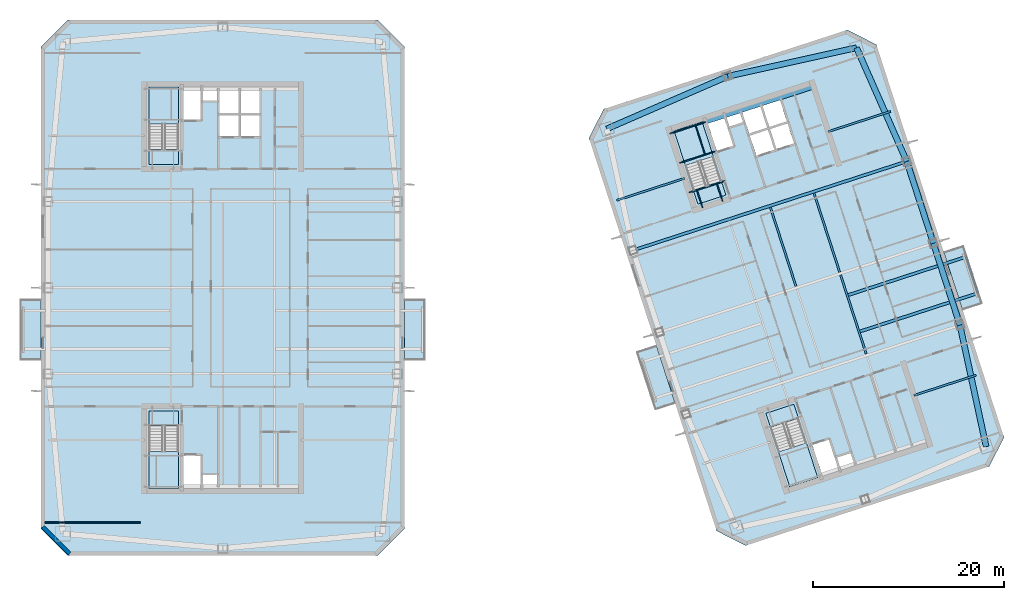
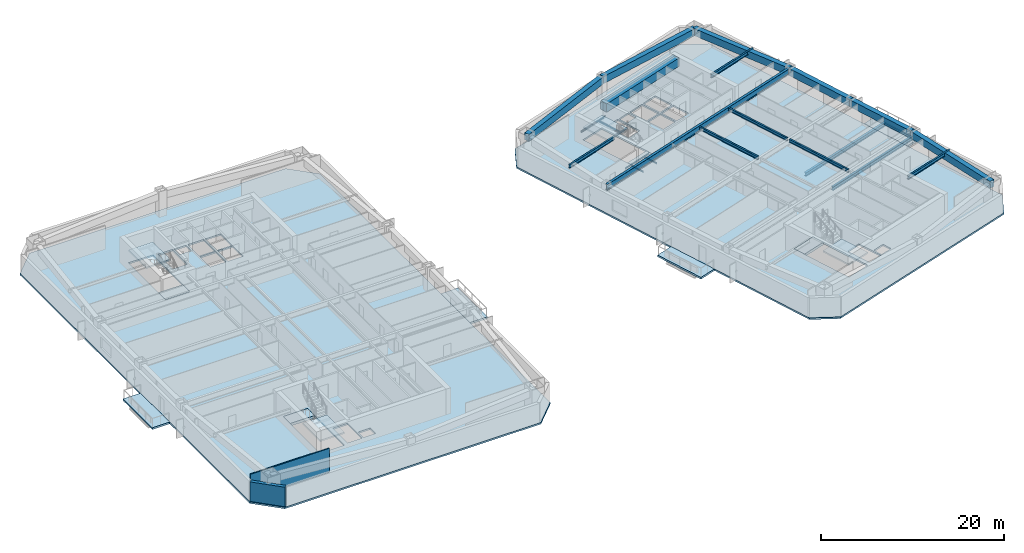
# One storey, part 4 of 17: 23 beams, 14 slabs, 2 walls, 4 elements without a shape of their own.
"""IFC4 building model written with IfcOpenShell, lengths in metres."""

import ifcopenshell
import ifcopenshell.guid

model = None  # the IFC model being written
_history = None  # IfcOwnerHistory: only IFC2X3 demands one
_inside = {}  # id of a spatial element -> (the spatial element, [elements in it])
_under = {}  # id of a project, library or spatial element -> (it, [spatial elements below it])
_declared = {}  # id of a project -> (the project, [libraries it declares])
_typed = {}  # id of a type object -> (the type object, [elements of that type])
_made_of = {}  # id of a material, layer set ... -> (it, [elements and type objects made of it])


def new_model(schema):
    """Start an empty IFC model of exactly this schema.

    Asked for "IFC4X3", IfcOpenShell would pick the latest addendum, in which some entities
    have other attributes; the version numbers below select the first issue.
    IFC2X3 requires an IfcOwnerHistory on every rooted entity: one is made here for all.
    """
    global model, _history
    if schema == "IFC4X3":
        model = ifcopenshell.file(schema_version=(4, 3, 0, 0))
    else:
        model = ifcopenshell.file(schema=schema)
    _inside.clear()
    _under.clear()
    _declared.clear()
    _typed.clear()
    _made_of.clear()
    _history = None
    if model.schema == "IFC2X3":
        org = make("IfcOrganization", Name="unknown")
        user = make(
            "IfcPersonAndOrganization",
            ThePerson=make("IfcPerson", FamilyName="unknown"),
            TheOrganization=org,
        )
        app = make(
            "IfcApplication",
            ApplicationDeveloper=org,
            Version="unknown",
            ApplicationFullName="unknown",
            ApplicationIdentifier="unknown",
        )
        _history = make(
            "IfcOwnerHistory",
            OwningUser=user,
            OwningApplication=app,
            ChangeAction="ADDED",
            CreationDate=0,
        )
    return model


def make(cls, **values):
    """One entity of the class cls with the attributes given. An attribute that is None is left unset."""
    return model.create_entity(
        cls, **{name: value for name, value in values.items() if value is not None}
    )


def rooted(cls, **values):
    """An entity with a GlobalId (a new one), such as an element, a storey or a relation."""
    return make(cls, GlobalId=ifcopenshell.guid.new(), OwnerHistory=_history, **values)


def si_unit(unit_type, name, prefix=None):
    """IfcSIUnit, for example si_unit("LENGTHUNIT", "METRE", prefix="MILLI")."""
    return make("IfcSIUnit", UnitType=unit_type, Prefix=prefix, Name=name)


def assignment(units):
    """IfcUnitAssignment: the units of a project."""
    return None if units is None else make("IfcUnitAssignment", Units=units)


def point(xyz):
    """IfcCartesianPoint."""
    return None if xyz is None else make("IfcCartesianPoint", Coordinates=xyz)


def direction(xyz):
    """IfcDirection."""
    return None if xyz is None else make("IfcDirection", DirectionRatios=xyz)


def frame(location, z_axis=None, x_axis=None):
    """IfcAxis2Placement3D, a coordinate frame: its origin and axes. An axis left out is left unset."""
    return make(
        "IfcAxis2Placement3D",
        Location=point(location),
        Axis=direction(z_axis),
        RefDirection=direction(x_axis),
    )


def frame_2d(location, x_axis=None):
    """IfcAxis2Placement2D, a coordinate frame in the plane: its origin and x axis."""
    return make(
        "IfcAxis2Placement2D", Location=point(location), RefDirection=direction(x_axis)
    )


def origin():
    """The frame at (0, 0, 0) with its axes left unset."""
    return frame((0.0, 0.0, 0.0))


def origin_2d():
    """The frame at (0, 0) in the plane with its x axis left unset."""
    return frame_2d((0.0, 0.0))


def place(relative_to, where):
    """IfcLocalPlacement: puts the frame where relative to a parent placement (None: the world)."""
    return make(
        "IfcLocalPlacement", PlacementRelTo=relative_to, RelativePlacement=where
    )


def context(
    kind, dimensions, precision=None, world=None, true_north=None, identifier=None
):
    """IfcGeometricRepresentationContext, for example the 3D "Model" context."""
    return make(
        "IfcGeometricRepresentationContext",
        ContextIdentifier=identifier,
        ContextType=kind,
        CoordinateSpaceDimension=dimensions,
        Precision=precision,
        WorldCoordinateSystem=world,
        TrueNorth=true_north,
    )


def subcontext(parent, identifier, kind, view, scale=None):
    """IfcGeometricRepresentationSubContext, for example "Body" below "Model"."""
    return make(
        "IfcGeometricRepresentationSubContext",
        ContextIdentifier=identifier,
        ContextType=kind,
        ParentContext=parent,
        TargetScale=scale,
        TargetView=view,
    )


def project(units=None, contexts=None):
    """IfcProject with its units and contexts."""
    return rooted(
        "IfcProject",
        Name="project",
        RepresentationContexts=contexts,
        UnitsInContext=assignment(units),
    )


def spatial(cls, under=None, at=None, **own):
    """A site, building, storey or space (cls), placed at a placement, below another one or the project."""
    s = rooted(cls, ObjectPlacement=at, **own)
    if under is not None:
        _under.setdefault(under.id(), (under, []))[1].append(s)
    return s


def polyline(points):
    """IfcPolyline through the points."""
    return make("IfcPolyline", Points=[point(p) for p in points])


def profile(cls, at=None, kind="AREA", **sizes):
    """A parametric profile (cls). Its sizes go by their IFC names, for example OverallWidth=200.0."""
    return make(cls, ProfileType=kind, Position=at, **sizes)


def rectangle(**sizes):
    """IfcRectangleProfileDef."""
    return profile("IfcRectangleProfileDef", **sizes)


def i_section(**sizes):
    """IfcIShapeProfileDef."""
    return profile("IfcIShapeProfileDef", **sizes)


def outline(outer, holes=None, kind="AREA"):
    """IfcArbitraryClosedProfileDef: a profile drawn as a closed curve; with holes, ...WithVoids."""
    if holes is None:
        return make("IfcArbitraryClosedProfileDef", ProfileType=kind, OuterCurve=outer)
    return make(
        "IfcArbitraryProfileDefWithVoids",
        ProfileType=kind,
        OuterCurve=outer,
        InnerCurves=holes,
    )


def extrude(swept, where, along, depth):
    """IfcExtrudedAreaSolid: the profile swept, set in the frame where, extruded along a direction by depth."""
    return make(
        "IfcExtrudedAreaSolid",
        SweptArea=swept,
        Position=where,
        ExtrudedDirection=direction(along),
        Depth=depth,
    )


def shape(context_of_items, identifier, shape_type, items):
    """IfcShapeRepresentation: the items that make up one representation, for example the "Body"."""
    return make(
        "IfcShapeRepresentation",
        ContextOfItems=context_of_items,
        RepresentationIdentifier=identifier,
        RepresentationType=shape_type,
        Items=items,
    )


def material(Name=None, Category=None):
    """IfcMaterial."""
    return make("IfcMaterial", Name=Name, Category=Category)


def layer(
    of_material, thickness, ventilated=None, Name=None, Category=None, Priority=None
):
    """IfcMaterialLayer: one layer of a wall or slab, of a material (None: an air gap)."""
    return make(
        "IfcMaterialLayer",
        Material=of_material,
        LayerThickness=thickness,
        IsVentilated=ventilated,
        Name=Name,
        Category=Category,
        Priority=Priority,
    )


def layer_set(layers, Name=None):
    """IfcMaterialLayerSet."""
    return make("IfcMaterialLayerSet", MaterialLayers=layers, LayerSetName=Name)


def material_profile(
    of_material, cross_section, Name=None, Category=None, Priority=None
):
    """IfcMaterialProfile: a cross section and its material."""
    return make(
        "IfcMaterialProfile",
        Name=Name,
        Material=of_material,
        Profile=cross_section,
        Priority=Priority,
        Category=Category,
    )


def profile_set(profiles, Name=None, composite=None):
    """IfcMaterialProfileSet."""
    return make(
        "IfcMaterialProfileSet",
        Name=Name,
        MaterialProfiles=profiles,
        CompositeProfile=composite,
    )


def made_of(thing, what):
    """Note that an element or type object is made of a material, layer set ...; save() writes the relation."""
    if what is not None:
        _made_of.setdefault(what.id(), (what, []))[1].append(thing)
    return thing


def type_object(cls, material=None, **own):
    """A type object (cls), such as IfcWallType, which elements share."""
    return made_of(rooted(cls, **own), material)


def element(
    cls,
    number,
    at=None,
    inside=None,
    cuts=None,
    type_object=None,
    material=None,
    context=None,
    identifier="Body",
    shape_type=None,
    held_by="IfcProductDefinitionShape",
    body=None,
    shapes=None,
    **own,
):
    """One element of the class cls, such as IfcWall. Its Tag is "e" and its number.

    at: its placement. inside: the storey or other place that contains it. cuts: it is an
    opening in that element (IfcRelVoidsElement). A single representation is given by context,
    identifier, shape_type and body (its items); several are given by shapes. held_by: the class
    of the entity that holds the representations. save() writes the other relations.
    """
    e = rooted(cls, Tag="e%d" % number, ObjectPlacement=at, **own)
    if body is not None:
        shapes = [shape(context, identifier, shape_type, body)]
    if shapes is not None:
        e.Representation = make(held_by, Representations=shapes)
    if inside is not None:
        _inside.setdefault(inside.id(), (inside, []))[1].append(e)
    if cuts is not None:
        rooted(
            "IfcRelVoidsElement", RelatingBuildingElement=cuts, RelatedOpeningElement=e
        )
    if type_object is not None:
        _typed.setdefault(type_object.id(), (type_object, []))[1].append(e)
    return made_of(e, material)


def aggregate(whole, parts):
    """IfcRelAggregates: a whole, such as a stair, and the parts it consists of."""
    return rooted("IfcRelAggregates", RelatingObject=whole, RelatedObjects=parts)


def save(model, path):
    """Write the relations noted so far, then the file.

    IfcRelAggregates (storeys below a building ...), IfcRelContainedInSpatialStructure (elements
    in a storey), IfcRelDefinesByType, IfcRelAssociatesMaterial and IfcRelDeclares: one each for
    every whole, place, type object, material and project.
    """
    for whole, parts in _under.values():
        aggregate(whole, parts)
    for where, things in _inside.values():
        rooted(
            "IfcRelContainedInSpatialStructure",
            RelatedElements=things,
            RelatingStructure=where,
        )
    for kind, things in _typed.values():
        rooted("IfcRelDefinesByType", RelatedObjects=things, RelatingType=kind)
    for what, things in _made_of.values():
        rooted("IfcRelAssociatesMaterial", RelatedObjects=things, RelatingMaterial=what)
    for by, libraries in _declared.values():
        rooted("IfcRelDeclares", RelatingContext=by, RelatedDefinitions=libraries)
    model.write(path)


model = new_model("IFC4")

# Units and contexts
model_context = context("Model", 3, precision=1e-05, world=origin(), true_north=direction((0.0, 1.0)))
body_context = subcontext(model_context, "Body", "Model", "MODEL_VIEW")
ifc_project = project(units=[si_unit("LENGTHUNIT", "METRE"), si_unit("AREAUNIT", "SQUARE_METRE"), si_unit("VOLUMEUNIT", "CUBIC_METRE"), si_unit("PLANEANGLEUNIT", "RADIAN"), si_unit("MASSUNIT", "GRAM", prefix="KILO")], contexts=[model_context])

# Site, building, storey
site_placement = place(None, origin())
site = spatial("IfcSite", under=ifc_project, at=site_placement, CompositionType="ELEMENT")
building_placement = place(site_placement, origin())
building = spatial("IfcBuilding", under=site, at=building_placement, Name="Qiaolan Cultural Towers", CompositionType="ELEMENT")
storey_placement = place(building_placement, frame((0.0, 0.0, 152.949951171875)))
storey = spatial("IfcBuildingStorey", under=building, at=storey_placement, Name="L40", CompositionType="ELEMENT", Elevation=152.949951171875)

# Beams
ifc_material_1 = material(Name="Steel Q355B", Category="steel")
ifc_material_profile_1 = material_profile(ifc_material_1, i_section(OverallWidth=0.300048828125, OverallDepth=0.488037109375, WebThickness=0.010986328125, FlangeThickness=0.01806640625, at=origin_2d()), Name="HM488x300x11x18")
ifc_profile_set_1 = profile_set([ifc_material_profile_1], Name="Steel Q355B")
beam_type_1 = type_object("IfcBeamType", Name="BM-HM488x300x11x18", PredefinedType="BEAM", material=ifc_profile_set_1)
for number, where, z_axis, x_axis, name in (
    (1, (96.542724609375, 29.396484375, -0.52392578125), (0.951056200688, 0.309017965713, 0.0), (-0.309017965713, 0.951056200688, 0.0), "L40 T2 Tree Balcony Back-Spanned Bracket Beam"),
    (2, (95.306640625, 33.20068359375, -0.52392578125), (0.951056200688, 0.309017965713, 0.0), (-0.309017965713, 0.951056200688, 0.0), "L40 T2 Tree Balcony Back-Spanned Bracket Beam"),
):
    element("IfcBeam", number, at=place(storey_placement, frame(where, z_axis=z_axis, x_axis=x_axis)), inside=storey, type_object=beam_type_1, Name=name, PredefinedType="BEAM", context=body_context, shape_type="SweptSolid", body=[
        extrude(i_section(OverallWidth=0.300048828125, OverallDepth=0.488037109375, WebThickness=0.010986328125, FlangeThickness=0.01806640625, at=origin_2d()), origin(), (0.0, 0.0, 1.0), 13.050048828125),
    ])
ifc_material_2 = material(Name="Steel Q355B", Category="steel")
ifc_material_profile_2 = material_profile(ifc_material_2, i_section(OverallWidth=0.300048828125, OverallDepth=0.800048828125, WebThickness=0.013916015625, FlangeThickness=0.02587890625, at=origin_2d()), Name="HN800x300x14x26")
ifc_profile_set_2 = profile_set([ifc_material_profile_2], Name="Steel Q355B")
beam_type_2 = type_object("IfcBeamType", Name="BM-HN800x300x14x26", PredefinedType="BEAM", material=ifc_profile_set_2)
beam_1_placement = place(storey_placement, frame((72.905517578125, 37.90869140625, 2.7900390625), z_axis=(0.951055226628, 0.309020963535, 0.0), x_axis=(-0.309020963535, 0.951055226628, 0.0)))
element("IfcBeam", 3, at=beam_1_placement, inside=storey, type_object=beam_type_2, Name="L40 T2 Primary Transverse Girder V3", PredefinedType="BEAM", context=body_context, shape_type="SweptSolid", body=[
    extrude(i_section(OverallWidth=0.300048828125, OverallDepth=0.800048828125, WebThickness=0.013916015625, FlangeThickness=0.02587890625, at=origin_2d()), origin(), (0.0, 0.0, 1.0), 30.099853515625),
])
ifc_material_3 = material(Name="Steel Q355B", Category="steel")
ifc_material_profile_3 = material_profile(ifc_material_3, i_section(OverallWidth=0.175048828125, OverallDepth=0.35009765625, WebThickness=0.007080078125, FlangeThickness=0.010986328125, at=origin_2d()), Name="HN350x175x7x11")
ifc_profile_set_3 = profile_set([ifc_material_profile_3], Name="Steel Q355B")
beam_type_3 = type_object("IfcBeamType", Name="BM-JST-HN350x175x7x11", PredefinedType="JOIST", material=ifc_profile_set_3)
beam_2_placement = place(storey_placement, frame((108.9541015625, 33.42919921875, -0.52392578125), z_axis=(-0.309022586479, 0.951054699292, 0.0), x_axis=(-0.951054699292, -0.309022586479, 0.0)))
element("IfcBeam", 4, at=beam_2_placement, inside=storey, type_object=beam_type_3, Name="L40 T2 Tree Balcony Outer Edge Beam", PredefinedType="JOIST", context=body_context, shape_type="SweptSolid", body=[
    extrude(i_section(OverallWidth=0.175048828125, OverallDepth=0.35009765625, WebThickness=0.007080078125, FlangeThickness=0.010986328125, at=origin_2d()), origin(), (0.0, 0.0, 1.0), 4.0),
])
ifc_material_4 = material(Name="Steel Q355B", Category="steel")
ifc_material_profile_4 = material_profile(ifc_material_4, i_section(OverallWidth=0.199951171875, OverallDepth=0.39990234375, WebThickness=0.008056640625, FlangeThickness=0.012939453125, at=origin_2d()), Name="HN400x200x8x13")
ifc_profile_set_4 = profile_set([ifc_material_profile_4], Name="Steel Q355B")
beam_type_4 = type_object("IfcBeamType", Name="BM-JST-HN400x200x8x13", PredefinedType="JOIST", material=ifc_profile_set_4)
for number, where, z_axis, x_axis, name in (
    (5, (89.95361328125, 34.142578125, 2.989990234375), (-0.309020714809, 0.951055307445, 0.0), (-0.951055307445, -0.309020714809, 0.0), "L40 T2 Secondary Floor Joist U2-3"),
    (6, (97.2998046875, 27.06640625, 2.989990234375), (-0.309020714809, 0.951055307445, 0.0), (-0.951055307445, -0.309020714809, 0.0), "L40 T2 Secondary Floor Joist U3-2"),
    (7, (94.518798828125, 35.6259765625, 2.989990234375), (-0.309020714809, 0.951055307445, 0.0), (-0.951055307445, -0.309020714809, 0.0), "L40 T2 Secondary Floor Joist U3-3"),
):
    element("IfcBeam", number, at=place(storey_placement, frame(where, z_axis=z_axis, x_axis=x_axis)), inside=storey, type_object=beam_type_4, Name=name, PredefinedType="JOIST", context=body_context, shape_type="SweptSolid", body=[
        extrude(i_section(OverallWidth=0.199951171875, OverallDepth=0.39990234375, WebThickness=0.008056640625, FlangeThickness=0.012939453125, at=origin_2d()), origin(), (0.0, 0.0, 1.0), 8.699951171875),
    ])
ifc_material_5 = material(Name="Steel Q355B", Category="steel")
ifc_material_profile_5 = material_profile(ifc_material_5, i_section(OverallWidth=0.199951171875, OverallDepth=0.449951171875, WebThickness=0.009033203125, FlangeThickness=0.013916015625, at=origin_2d()), Name="HN450x200x9x14")
ifc_profile_set_5 = profile_set([ifc_material_profile_5], Name="Steel Q355B")
beam_type_5 = type_object("IfcBeamType", Name="BM-LNT-HN450x200x9x14", PredefinedType="LINTEL", material=ifc_profile_set_5)
beam_3_placement = place(storey_placement, frame((78.291259765625, 45.44189453125, 2.965087890625), z_axis=(-0.951054777171, -0.309022346796, 0.0), x_axis=(0.309022346796, -0.951054777171, 0.0)))
element("IfcBeam", 8, at=beam_3_placement, inside=storey, type_object=beam_type_5, Name="L40 T2 Core Flank Tie Lintel WN", PredefinedType="LINTEL", context=body_context, shape_type="SweptSolid", body=[
    extrude(i_section(OverallWidth=0.199951171875, OverallDepth=0.449951171875, WebThickness=0.009033203125, FlangeThickness=0.013916015625, at=origin_2d()), origin(), (0.0, 0.0, 1.0), 7.4501953125),
])
for number, where, z_axis, x_axis, name in (
    (9, (102.279296875, 22.74365234375, 2.965087890625), (0.951061565824, 0.30900145309, 0.0), (-0.30900145309, 0.951061565824, 0.0), "L40 T2 Core Flank Tie Lintel ES"),
    (10, (93.31787109375, 50.32421875, 2.965087890625), (0.951061565824, 0.30900145309, 0.0), (-0.30900145309, 0.951061565824, 0.0), "L40 T2 Core Flank Tie Lintel EN"),
):
    element("IfcBeam", number, at=place(storey_placement, frame(where, z_axis=z_axis, x_axis=x_axis)), inside=storey, type_object=beam_type_5, Name=name, PredefinedType="LINTEL", context=body_context, shape_type="SweptSolid", body=[
        extrude(i_section(OverallWidth=0.199951171875, OverallDepth=0.449951171875, WebThickness=0.009033203125, FlangeThickness=0.013916015625, at=origin_2d()), origin(), (0.0, 0.0, 1.0), 6.85009765625),
    ])
ifc_material_6 = material(Name="Concrete C50", Category="concrete")
ifc_material_profile_6 = material_profile(ifc_material_6, rectangle(XDim=0.89990234375, YDim=1.10009765625, at=origin_2d()), Name="RC900x1100")
ifc_profile_set_6 = profile_set([ifc_material_profile_6], Name="Concrete C50")
beam_type_6 = type_object("IfcBeamType", Name="BM-RC900x1100", PredefinedType="BEAM", material=ifc_profile_set_6)
beam_4_placement = place(storey_placement, frame((80.427978515625, 51.551025390625, 2.64013671875), z_axis=(0.951056266386, 0.309017763514, 0.0), x_axis=(-0.309017763514, 0.951056266386, 0.0)))
element("IfcBeam", 11, at=beam_4_placement, inside=storey, type_object=beam_type_6, Name="L40 T2 Core Header Girder N", PredefinedType="BEAM", context=body_context, shape_type="SweptSolid", body=[
    extrude(rectangle(XDim=0.89990234375, YDim=1.10009765625, at=origin_2d()), origin(), (0.0, 0.0, 1.0), 11.880126953125),
])
ifc_material_7 = material(Name="Concrete C50", Category="concrete")
ifc_material_profile_7 = material_profile(ifc_material_7, rectangle(XDim=0.60009765625, YDim=0.949951171875, at=origin_2d()), Name="RC600x950")
ifc_profile_set_7 = profile_set([ifc_material_profile_7], Name="Concrete C50")
beam_type_7 = type_object("IfcBeamType", Name="BM-SPD-RC600x950", PredefinedType="SPANDREL", material=ifc_profile_set_7)
beam_5_placement = place(storey_placement, frame((109.834716796875, 17.38623046875, 2.715087890625), z_axis=(-0.210832241173, 0.977522258612, 0.0), x_axis=(-0.977522258612, -0.210832241173, 0.0)))
element("IfcBeam", 12, at=beam_5_placement, inside=storey, type_object=beam_type_7, Name="L40 T2 Perimeter Spandrel Beam 3", PredefinedType="SPANDREL", context=body_context, shape_type="SweptSolid", body=[
    extrude(rectangle(XDim=0.60009765625, YDim=0.949951171875, at=origin_2d()), origin(), (0.0, 0.0, 1.0), 12.997314453125),
])
beam_6_placement = place(storey_placement, frame((107.094482421875, 30.09130859375, 2.715087890625), z_axis=(-0.309008170129, 0.951059383421, 0.0), x_axis=(-0.951059383421, -0.309008170129, 0.0)))
element("IfcBeam", 13, at=beam_6_placement, inside=storey, type_object=beam_type_7, Name="L40 T2 Perimeter Spandrel Beam 4", PredefinedType="SPANDREL", context=body_context, shape_type="SweptSolid", body=[
    extrude(rectangle(XDim=0.60009765625, YDim=0.949951171875, at=origin_2d()), origin(), (0.0, 0.0, 1.0), 8.999755859375),
])
beam_7_placement = place(storey_placement, frame((104.3134765625, 38.650634765625, 2.715087890625), z_axis=(-0.309024734286, 0.951054001411, 0.0), x_axis=(-0.951054001411, -0.309024734286, 0.0)))
element("IfcBeam", 14, at=beam_7_placement, inside=storey, type_object=beam_type_7, Name="L40 T2 Perimeter Spandrel Beam 5", PredefinedType="SPANDREL", context=body_context, shape_type="SweptSolid", body=[
    extrude(rectangle(XDim=0.60009765625, YDim=0.949951171875, at=origin_2d()), origin(), (0.0, 0.0, 1.0), 9.0),
])
beam_8_placement = place(storey_placement, frame((101.5322265625, 47.210205078125, 2.715087890625), z_axis=(-0.404011070002, 0.914754095545, 0.0), x_axis=(-0.914754095545, -0.404011070002, 0.0)))
element("IfcBeam", 15, at=beam_8_placement, inside=storey, type_object=beam_type_7, Name="L40 T2 Perimeter Spandrel Beam 6", PredefinedType="SPANDREL", context=body_context, shape_type="SweptSolid", body=[
    extrude(rectangle(XDim=0.60009765625, YDim=0.949951171875, at=origin_2d()), origin(), (0.0, 0.0, 1.0), 12.9970703125),
])
beam_9_placement = place(storey_placement, frame((96.28125, 59.099365234375, 2.715087890625), z_axis=(-0.976265293399, -0.216578108094, 0.0), x_axis=(0.216578108094, -0.976265293399, 0.0)))
element("IfcBeam", 16, at=beam_9_placement, inside=storey, type_object=beam_type_7, Name="L40 T2 Perimeter Spandrel Beam 7", PredefinedType="SPANDREL", context=body_context, shape_type="SweptSolid", body=[
    extrude(rectangle(XDim=0.60009765625, YDim=0.949951171875, at=origin_2d()), origin(), (0.0, 0.0, 1.0), 13.793212890625),
])
beam_10_placement = place(storey_placement, frame((82.8154296875, 56.112060546875, 2.715087890625), z_axis=(-0.917117043091, -0.398618024268, 0.0), x_axis=(0.398618024268, -0.917117043091, 0.0)))
element("IfcBeam", 17, at=beam_10_placement, inside=storey, type_object=beam_type_7, Name="L40 T2 Perimeter Spandrel Beam 8", PredefinedType="SPANDREL", context=body_context, shape_type="SweptSolid", body=[
    extrude(rectangle(XDim=0.60009765625, YDim=0.949951171875, at=origin_2d()), origin(), (0.0, 0.0, 1.0), 13.79345703125),
])
ifc_material_8 = material(Name="Steel Q355B", Category="steel")
ifc_material_profile_8 = material_profile(ifc_material_8, i_section(OverallWidth=0.10009765625, OverallDepth=0.199951171875, WebThickness=0.005615234375, FlangeThickness=0.008056640625, at=origin_2d()), Name="HN200x100x5.5x8")
ifc_profile_set_8 = profile_set([ifc_material_profile_8], Name="Steel Q355B")
beam_type_8 = type_object("IfcBeamType", Name="BM-STTRIM-200", PredefinedType="BEAM", material=ifc_profile_set_8)
beam_11_placement = place(storey_placement, frame((78.773193359375, 43.958251953125, -0.4599609375), z_axis=(0.951072048947, 0.3089691857, 0.0), x_axis=(-0.3089691857, 0.951072048947, 0.0)))
element("IfcBeam", 18, at=beam_11_placement, inside=storey, type_object=beam_type_8, Name="L40 ST-E2 Floor Landing Header Beam", PredefinedType="BEAM", context=body_context, shape_type="SweptSolid", body=[
    extrude(i_section(OverallWidth=0.10009765625, OverallDepth=0.199951171875, WebThickness=0.005615234375, FlangeThickness=0.008056640625, at=origin_2d()), origin(), (0.0, 0.0, 1.0), 3.920166015625),
])
for number, where, z_axis, x_axis, name in (
    (19, (80.18115234375, 42.375732421875, -0.4599609375), (-0.308969394428, 0.951071981138, 0.0), (-0.951071981138, -0.308969394428, 0.0), "L40 ST-E2 Floor Landing Stringer 1"),
    (20, (82.2734375, 43.0556640625, -0.4599609375), (-0.308969394428, 0.951071981138, 0.0), (-0.951071981138, -0.308969394428, 0.0), "L40 ST-E2 Floor Landing Stringer 2"),
):
    element("IfcBeam", number, at=place(storey_placement, frame(where, z_axis=z_axis, x_axis=x_axis)), inside=storey, type_object=beam_type_8, Name=name, PredefinedType="BEAM", context=body_context, shape_type="SweptSolid", body=[
        extrude(i_section(OverallWidth=0.10009765625, OverallDepth=0.199951171875, WebThickness=0.005615234375, FlangeThickness=0.008056640625, at=origin_2d()), origin(), (0.0, 0.0, 1.0), 1.93994140625),
    ])
for number, where, z_axis, x_axis, name in (
    (21, (77.769287109375, 47.0478515625, 1.425048828125), (0.951053746643, 0.309025518358, 0.0), (-0.309025518358, 0.951053746643, 0.0), "L40 ST-E2 Stair Landing Support Beam 1-1"),
    (22, (76.770751953125, 50.12109375, 1.425048828125), (0.951072048947, 0.3089691857, 0.0), (-0.3089691857, 0.951072048947, 0.0), "L40 ST-E2 Stair Landing Support Beam 1-2"),
):
    element("IfcBeam", number, at=place(storey_placement, frame(where, z_axis=z_axis, x_axis=x_axis)), inside=storey, type_object=beam_type_8, Name=name, PredefinedType="BEAM", context=body_context, shape_type="SweptSolid", body=[
        extrude(i_section(OverallWidth=0.10009765625, OverallDepth=0.199951171875, WebThickness=0.005615234375, FlangeThickness=0.008056640625, at=origin_2d()), origin(), (0.0, 0.0, 1.0), 3.920166015625),
    ])
beam_12_placement = place(storey_placement, frame((80.44189453125, 47.916259765625, 1.425048828125), z_axis=(-0.309033108495, 0.951051280349, 0.0), x_axis=(-0.951051280349, -0.309033108495, 0.0)))
element("IfcBeam", 23, at=beam_12_placement, inside=storey, type_object=beam_type_8, Name="L40 ST-E2 Stair Landing Trimmer 1", PredefinedType="BEAM", context=body_context, shape_type="SweptSolid", body=[
    extrude(i_section(OverallWidth=0.10009765625, OverallDepth=0.199951171875, WebThickness=0.005615234375, FlangeThickness=0.008056640625, at=origin_2d()), origin(), (0.0, 0.0, 1.0), 3.231201171875),
])

# Slabs
ifc_material_9 = material(Name="Concrete C45", Category="concrete")
ifc_layer_1 = layer(ifc_material_9, 0.239990234375)
ifc_layer_set_1 = layer_set([ifc_layer_1], Name="Concrete C45")
slab_type_1 = type_object("IfcSlabType", Name="SL-BAL-240", PredefinedType="FLOOR", material=ifc_layer_set_1)
slab_1_placement = place(storey_placement, frame((0.0, 0.0, -0.239990234375)))
element("IfcSlab", 24, at=slab_1_placement, inside=storey, type_object=slab_type_1, Name="L40 T1 Planted Tree Balcony W", PredefinedType="FLOOR", context=body_context, shape_type="SweptSolid", body=[
    extrude(outline(polyline([(8.800048828125, 26.39990234375), (11.0, 26.39990234375), (11.0, 32.800048828125), (8.800048828125, 32.800048828125), (8.800048828125, 26.39990234375)])), origin(), (0.0, 0.0, 1.0), 0.239990234375),
])
slab_2_placement = place(storey_placement, frame((0.0, 0.0, -0.239990234375)))
element("IfcSlab", 25, at=slab_2_placement, inside=storey, type_object=slab_type_1, Name="L40 T1 Planted Tree Balcony E", PredefinedType="FLOOR", context=body_context, shape_type="SweptSolid", body=[
    extrude(outline(polyline([(49.0, 26.39990234375), (51.199951171875, 26.39990234375), (51.199951171875, 32.800048828125), (49.0, 32.800048828125), (49.0, 26.39990234375)])), origin(), (0.0, 0.0, 1.0), 0.239990234375),
])
slab_3_placement = place(storey_placement, frame((0.0, 0.0, -0.239990234375)))
element("IfcSlab", 26, at=slab_3_placement, inside=storey, type_object=slab_type_1, Name="L40 T2 Planted Tree Balcony W", PredefinedType="FLOOR", context=body_context, shape_type="SweptSolid", body=[
    extrude(outline(polyline([(75.2294921875, 21.209716796875), (77.32177734375, 21.889404296875), (75.34423828125, 27.976318359375), (73.251708984375, 27.29638671875), (75.2294921875, 21.209716796875)])), origin(), (0.0, 0.0, 1.0), 0.239990234375),
])
slab_4_placement = place(storey_placement, frame((0.0, 0.0, -0.239990234375)))
element("IfcSlab", 27, at=slab_4_placement, inside=storey, type_object=slab_type_1, Name="L40 T2 Planted Tree Balcony E", PredefinedType="FLOOR", context=body_context, shape_type="SweptSolid", body=[
    extrude(outline(polyline([(107.375244140625, 31.654541015625), (109.467529296875, 32.334228515625), (107.48974609375, 38.421142578125), (105.3974609375, 37.7412109375), (107.375244140625, 31.654541015625)])), origin(), (0.0, 0.0, 1.0), 0.239990234375),
])

# Stair, slab
ifc_material_10 = material(Name="Concrete C45", Category="concrete")
stair_type = type_object("IfcStairType", Name="STR-CORE-1500", PredefinedType="HALF_TURN_STAIR", material=ifc_material_10)
stair_1_placement = place(storey_placement, origin())
stair_1 = element("IfcStair", 28, at=stair_1_placement, inside=storey, type_object=stair_type, Name="L40 Smokeproof Exit Stair ST-W1", PredefinedType="HALF_TURN_STAIR")
ifc_material_11 = material(Name="Concrete C45", Category="concrete")
ifc_layer_2 = layer(ifc_material_11, 0.199951171875)
ifc_layer_set_2 = layer_set([ifc_layer_2], Name="Concrete C45")
slab_type_2 = type_object("IfcSlabType", Name="SL-STAIR-LAND", PredefinedType="LANDING", material=ifc_layer_set_2)
slab_5_placement = place(storey_placement, frame((0.0, 0.0, 1.525146484375)))
slab_5 = element("IfcSlab", 29, at=slab_5_placement, type_object=slab_type_2, Name="ST-W1 landing 1", PredefinedType="LANDING", context=body_context, shape_type="SweptSolid", body=[
    extrude(outline(polyline([(22.300048828125, 16.851318359375), (22.300048828125, 13.0), (25.3798828125, 13.0), (25.3798828125, 16.851318359375), (22.300048828125, 16.851318359375)])), origin(), (0.0, 0.0, 1.0), 0.199951171875),
])
aggregate(stair_1, [slab_5])

stair_2_placement = place(storey_placement, origin())
stair_2 = element("IfcStair", 30, at=stair_2_placement, inside=storey, type_object=stair_type, Name="L40 Smokeproof Exit Stair ST-W2", PredefinedType="HALF_TURN_STAIR")
slab_6_placement = place(storey_placement, frame((0.0, 0.0, 1.525146484375)))
slab_6 = element("IfcSlab", 31, at=slab_6_placement, type_object=slab_type_2, Name="ST-W2 landing 1", PredefinedType="LANDING", context=body_context, shape_type="SweptSolid", body=[
    extrude(outline(polyline([(25.3798828125, 51.148681640625), (25.3798828125, 55.0), (22.300048828125, 55.0), (22.300048828125, 51.148681640625), (25.3798828125, 51.148681640625)])), origin(), (0.0, 0.0, 1.0), 0.199951171875),
])
aggregate(stair_2, [slab_6])

stair_3_placement = place(storey_placement, origin())
stair_3 = element("IfcStair", 32, at=stair_3_placement, inside=storey, type_object=stair_type, Name="L40 Smokeproof Exit Stair ST-E1", PredefinedType="HALF_TURN_STAIR")
slab_7_placement = place(storey_placement, frame((0.0, 0.0, 1.525146484375)))
slab_7 = element("IfcSlab", 33, at=slab_7_placement, type_object=slab_type_2, Name="ST-E1 landing 1", PredefinedType="LANDING", context=body_context, shape_type="SweptSolid", body=[
    extrude(outline(polyline([(88.114013671875, 16.828125), (89.30419921875, 13.165283203125), (92.2333984375, 14.116943359375), (91.04345703125, 17.77978515625), (88.114013671875, 16.828125)])), origin(), (0.0, 0.0, 1.0), 0.199951171875),
])
aggregate(stair_3, [slab_7])

stair_4_placement = place(storey_placement, origin())
stair_4 = element("IfcStair", 34, at=stair_4_placement, inside=storey, type_object=stair_type, Name="L40 Smokeproof Exit Stair ST-E2", PredefinedType="HALF_TURN_STAIR")
slab_8_placement = place(storey_placement, frame((0.0, 0.0, 1.525146484375)))
slab_8 = element("IfcSlab", 35, at=slab_8_placement, type_object=slab_type_2, Name="ST-E2 landing 1", PredefinedType="LANDING", context=body_context, shape_type="SweptSolid", body=[
    extrude(outline(polyline([(81.31005859375, 47.735595703125), (80.1201171875, 51.3984375), (77.190673828125, 50.44677734375), (78.380859375, 46.783935546875), (81.31005859375, 47.735595703125)])), origin(), (0.0, 0.0, 1.0), 0.199951171875),
])
aggregate(stair_4, [slab_8])

# Slabs
ifc_material_12 = material(Name="Concrete C40", Category="concrete")
ifc_layer_3 = layer(ifc_material_12, 0.360107421875)
ifc_layer_set_3 = layer_set([ifc_layer_3], Name="Concrete C40")
slab_type_3 = type_object("IfcSlabType", Name="SL-STFLR-360", PredefinedType="LANDING", material=ifc_layer_set_3)
slab_9_placement = place(storey_placement, frame((0.0, 0.0, -0.35986328125)))
element("IfcSlab", 36, at=slab_9_placement, inside=storey, type_object=slab_type_3, Name="L40 ST-W1 Stair Floor Landing Slab", PredefinedType="LANDING", context=body_context, shape_type="SweptSolid", body=[
    extrude(outline(polyline([(22.302001953125, 21.097900390625), (22.302001953125, 19.548583984375), (25.3779296875, 19.548583984375), (25.3779296875, 21.097900390625), (22.302001953125, 21.097900390625)])), origin(), (0.0, 0.0, 1.0), 0.35986328125),
])
slab_10_placement = place(storey_placement, frame((0.0, 0.0, -0.35986328125)))
element("IfcSlab", 37, at=slab_10_placement, inside=storey, type_object=slab_type_3, Name="L40 ST-W2 Stair Floor Landing Slab", PredefinedType="LANDING", context=body_context, shape_type="SweptSolid", body=[
    extrude(outline(polyline([(25.3779296875, 46.902099609375), (25.3779296875, 48.451416015625), (22.302001953125, 48.451416015625), (22.302001953125, 46.902099609375), (25.3779296875, 46.902099609375)])), origin(), (0.0, 0.0, 1.0), 0.35986328125),
])
slab_11_placement = place(storey_placement, frame((0.0, 0.0, -0.35986328125)))
element("IfcSlab", 38, at=slab_11_placement, inside=storey, type_object=slab_type_3, Name="L40 ST-E1 Stair Floor Landing Slab", PredefinedType="LANDING", context=body_context, shape_type="SweptSolid", body=[
    extrude(outline(polyline([(86.8037109375, 20.867431640625), (87.282470703125, 19.39404296875), (90.2080078125, 20.3447265625), (89.729248046875, 21.818115234375), (86.8037109375, 20.867431640625)])), origin(), (0.0, 0.0, 1.0), 0.35986328125),
])
slab_12_placement = place(storey_placement, frame((0.0, 0.0, -0.35986328125)))
element("IfcSlab", 39, at=slab_12_placement, inside=storey, type_object=slab_type_3, Name="L40 ST-E2 Stair Floor Landing Slab", PredefinedType="LANDING", context=body_context, shape_type="SweptSolid", body=[
    extrude(outline(polyline([(82.62060546875, 43.6962890625), (82.141845703125, 45.169677734375), (79.21630859375, 44.21923828125), (79.695068359375, 42.74560546875), (82.62060546875, 43.6962890625)])), origin(), (0.0, 0.0, 1.0), 0.35986328125),
])
ifc_material_13 = material(Name="Concrete C45", Category="concrete")
ifc_layer_4 = layer(ifc_material_13, 0.219970703125)
ifc_layer_set_4 = layer_set([ifc_layer_4], Name="Concrete C45")
slab_type_4 = type_object("IfcSlabType", Name="SL-TYP-220", PredefinedType="FLOOR", material=ifc_layer_set_4)
slab_13_placement = place(storey_placement, frame((0.0, 0.0, -0.219970703125)))
element("IfcSlab", 40, at=slab_13_placement, inside=storey, type_object=slab_type_4, Name="L40 West Tower Floor Slab", PredefinedType="FLOOR", context=body_context, shape_type="SweptSolid", body=[
    extrude(outline(polyline([(13.800048828125, 6.0), (46.199951171875, 6.0), (49.0, 8.800048828125), (49.0, 59.199951171875), (46.199951171875, 62.0), (13.800048828125, 62.0), (11.0, 59.199951171875), (11.0, 8.800048828125), (13.800048828125, 6.0)]), holes=[polyline([(22.300048828125, 21.10009765625), (22.300048828125, 13.0), (25.3798828125, 13.0), (25.3798828125, 21.10009765625), (22.300048828125, 21.10009765625)]), polyline([(25.3798828125, 46.89990234375), (25.3798828125, 55.0), (22.300048828125, 55.0), (22.300048828125, 46.89990234375), (25.3798828125, 46.89990234375)]), polyline([(25.89990234375, 13.199951171875), (27.75, 13.199951171875), (27.75, 16.449951171875), (25.89990234375, 16.449951171875), (25.89990234375, 13.199951171875)]), polyline([(27.93994140625, 13.25), (29.449951171875, 13.25), (29.449951171875, 14.419921875), (27.93994140625, 14.419921875), (27.93994140625, 13.25)]), polyline([(25.89990234375, 51.550048828125), (27.75, 51.550048828125), (27.75, 54.800048828125), (25.89990234375, 54.800048828125), (25.89990234375, 51.550048828125)]), polyline([(27.93994140625, 53.580078125), (29.449951171875, 53.580078125), (29.449951171875, 54.75), (27.93994140625, 54.75), (27.93994140625, 53.580078125)]), polyline([(29.679931640625, 49.820068359375), (31.679931640625, 49.820068359375), (31.679931640625, 52.080078125), (29.679931640625, 52.080078125), (29.679931640625, 49.820068359375)]), polyline([(31.8798828125, 49.820068359375), (33.820068359375, 49.820068359375), (33.820068359375, 52.080078125), (31.8798828125, 52.080078125), (31.8798828125, 49.820068359375)]), polyline([(29.679931640625, 52.27001953125), (31.659912109375, 52.27001953125), (31.659912109375, 54.75), (29.679931640625, 54.75), (29.679931640625, 52.27001953125)]), polyline([(31.8798828125, 52.27001953125), (33.820068359375, 52.27001953125), (33.820068359375, 54.75), (31.8798828125, 54.75), (31.8798828125, 52.27001953125)])]), origin(), (0.0, 0.0, 1.0), 0.219970703125),
])
slab_14_placement = place(storey_placement, frame((0.0, 0.0, -0.219970703125)))
element("IfcSlab", 41, at=slab_14_placement, inside=storey, type_object=slab_type_4, Name="L40 East Tower Floor Slab", PredefinedType="FLOOR", context=body_context, shape_type="SweptSolid", body=[
    extrude(outline(polyline([(84.67236328125, 7.033935546875), (110.16064453125, 15.3154296875), (111.701416015625, 18.339599609375), (98.351806640625, 59.42529296875), (95.32763671875, 60.966064453125), (69.83935546875, 52.6845703125), (68.298583984375, 49.660400390625), (81.648193359375, 8.57470703125), (84.67236328125, 7.033935546875)]), holes=[polyline([(86.80126953125, 20.868896484375), (89.30419921875, 13.165283203125), (92.2333984375, 14.116943359375), (89.73046875, 21.820556640625), (86.80126953125, 20.868896484375)]), polyline([(82.623046875, 43.69482421875), (80.1201171875, 51.3984375), (77.190673828125, 50.44677734375), (79.69384765625, 42.7431640625), (82.623046875, 43.69482421875)]), polyline([(92.666259765625, 14.468017578125), (94.42578125, 15.03955078125), (93.42138671875, 18.130615234375), (91.661865234375, 17.558837890625), (92.666259765625, 14.468017578125)]), polyline([(94.5908203125, 15.14599609375), (96.027099609375, 15.612548828125), (95.66552734375, 16.725341796875), (94.2294921875, 16.258544921875), (94.5908203125, 15.14599609375)]), polyline([(81.6806640625, 48.278076171875), (83.440185546875, 48.849609375), (82.435791015625, 51.940673828125), (80.67626953125, 51.368896484375), (81.6806640625, 48.278076171875)]), polyline([(82.993408203125, 50.839111328125), (84.4296875, 51.3056640625), (84.068115234375, 52.41845703125), (82.632080078125, 51.95166015625), (82.993408203125, 50.839111328125)]), polyline([(85.810302734375, 47.80078125), (87.71240234375, 48.418701171875), (87.013916015625, 50.568115234375), (85.11181640625, 49.9501953125), (85.810302734375, 47.80078125)]), polyline([(87.902587890625, 48.480712890625), (89.74755859375, 49.080078125), (89.04931640625, 51.2294921875), (87.2041015625, 50.6298828125), (87.902587890625, 48.480712890625)]), polyline([(85.05322265625, 50.130859375), (86.936279296875, 50.74267578125), (86.169921875, 53.101318359375), (84.286865234375, 52.489501953125), (85.05322265625, 50.130859375)]), polyline([(87.1455078125, 50.810791015625), (88.990478515625, 51.41015625), (88.22412109375, 53.768798828125), (86.379150390625, 53.169189453125), (87.1455078125, 50.810791015625)])]), origin(), (0.0, 0.0, 1.0), 0.219970703125),
])

# Walls
ifc_material_14 = material(Name="Precast Concrete C50 Honed Stone Pier", Category="masonry")
ifc_layer_5 = layer(ifc_material_14, 0.39990234375)
ifc_layer_set_5 = layer_set([ifc_layer_5], Name="Precast Concrete C50 Honed Stone Pier")
wall_type_1 = type_object("IfcWallType", Name="WL-EXT-PIER-400", PredefinedType="SOLIDWALL", material=ifc_layer_set_5)
wall_1_placement = place(storey_placement, frame((14.0, 6.199951171875, 0.0), z_axis=(0.0, 0.0, 1.0), x_axis=(-0.707106781187, 0.707106781187, 0.0)))
element("IfcWall", 42, at=wall_1_placement, inside=storey, type_object=wall_type_1, Name="L40 West Tower Precast Pier Facade Wall F8", PredefinedType="SOLIDWALL", context=body_context, shape_type="SweptSolid", body=[
    extrude(rectangle(XDim=3.9599609375, YDim=0.39990234375, at=frame_2d((1.97998046875, 0.0))), origin(), (0.0, 0.0, 1.0), 2.610107421875),
])
ifc_material_15 = material(Name="Autoclaved Aerated Concrete Block B06", Category="concrete")
ifc_layer_6 = layer(ifc_material_15, 0.14990234375)
ifc_layer_set_6 = layer_set([ifc_layer_6], Name="Autoclaved Aerated Concrete Block B06")
wall_type_2 = type_object("IfcWallType", Name="WL-PART-150", PredefinedType="PARTITIONING", material=ifc_layer_set_6)
wall_2_placement = place(storey_placement, frame((11.39990234375, 9.449951171875, 0.0), z_axis=(0.0, 0.0, 1.0), x_axis=(1.0, 0.0, 0.0)))
element("IfcWall", 43, at=wall_2_placement, inside=storey, type_object=wall_type_2, Name="L40 T1 Flank Wall FLK-SW", PredefinedType="PARTITIONING", context=body_context, shape_type="SweptSolid", body=[
    extrude(rectangle(XDim=10.0, YDim=0.14990234375, at=frame_2d((5.0, 0.0))), origin(), (0.0, 0.0, 1.0), 3.175048828125),
])

save(model, "model.ifc")
